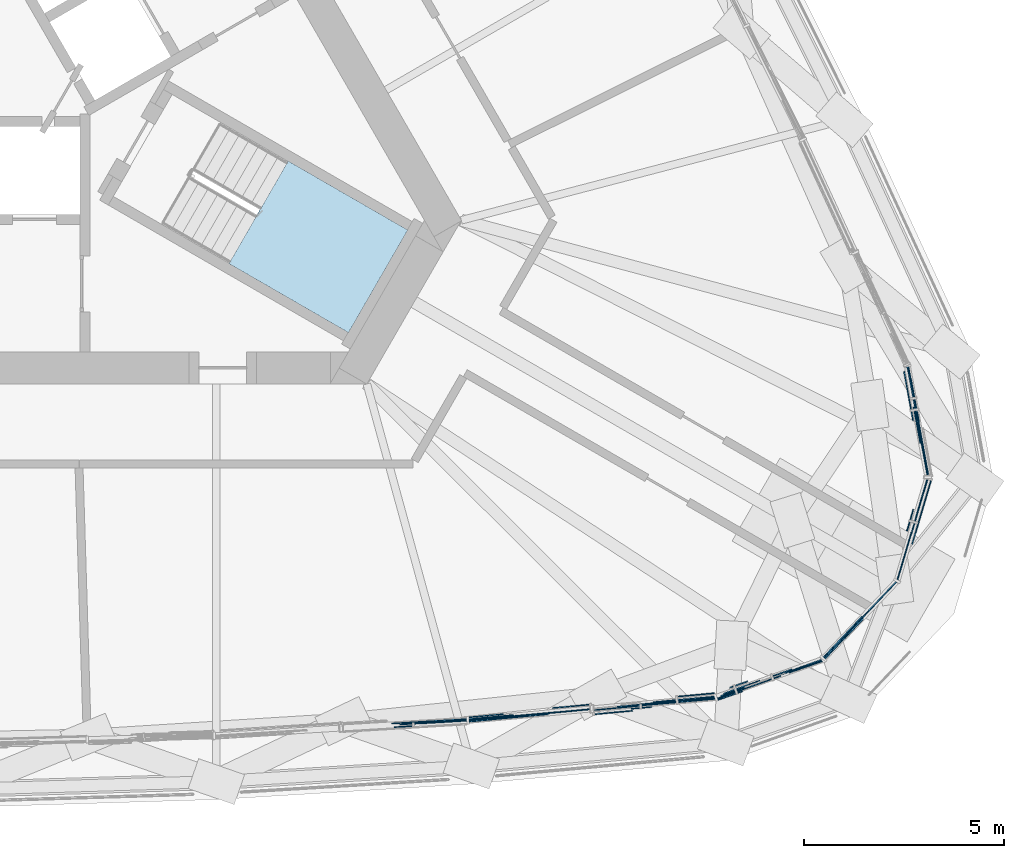
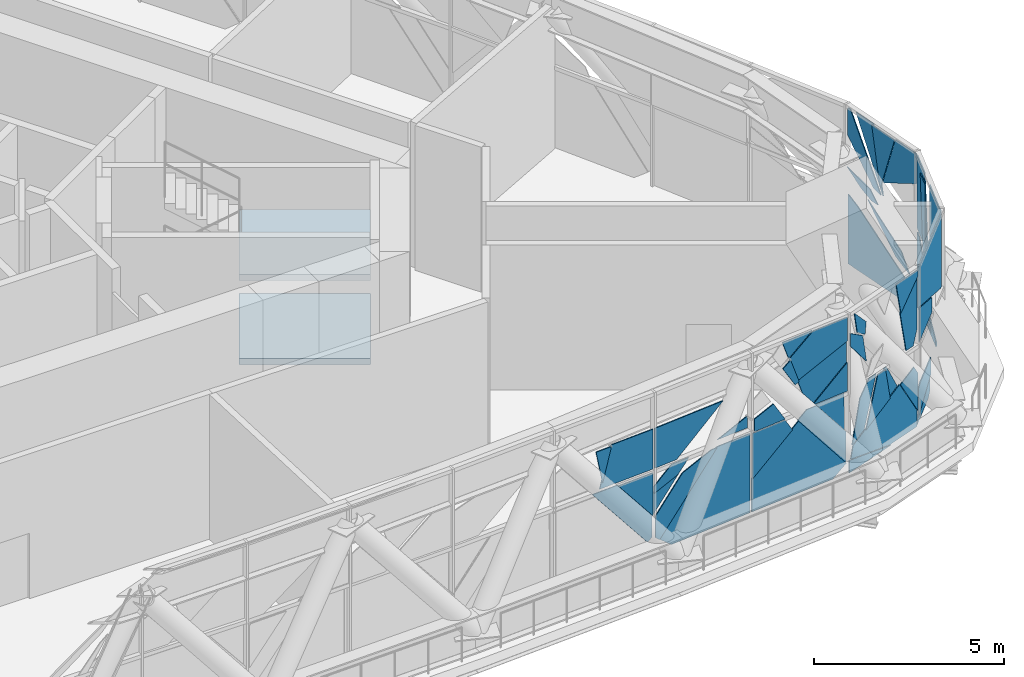
# One storey, part 14 of 35: 46 plates, 2 slabs, 3 elements without a shape of their own.
"""IFC4 building model written with IfcOpenShell, lengths in metres."""

from ifc_helpers import new_model, si_unit, direction, frame, origin, place, context, subcontext, project, spatial, polyline, outline, extrude, material, layer, layer_set, type_object, element, aggregate, save


model = new_model("IFC4")

# Units and contexts
model_context = context("Model", 3, precision=1e-05, world=origin(), true_north=direction((0.0, 1.0)))
body_context = subcontext(model_context, "Body", "Model", "MODEL_VIEW")
ifc_project = project(units=[si_unit("LENGTHUNIT", "METRE"), si_unit("AREAUNIT", "SQUARE_METRE"), si_unit("VOLUMEUNIT", "CUBIC_METRE"), si_unit("PLANEANGLEUNIT", "RADIAN"), si_unit("MASSUNIT", "GRAM", prefix="KILO")], contexts=[model_context])

# Site, building, storey
site_placement = place(None, origin())
site = spatial("IfcSite", under=ifc_project, at=site_placement, CompositionType="ELEMENT")
building_placement = place(site_placement, origin())
building = spatial("IfcBuilding", under=site, at=building_placement, Name="Mestral Congress Tower", CompositionType="ELEMENT")
storey_placement = place(building_placement, frame((0.0, 0.0, 196.199951171875)))
storey = spatial("IfcBuildingStorey", under=building, at=storey_placement, Name="L46", CompositionType="ELEMENT", Elevation=196.199951171875)

# Stair, slabs
ifc_material_1 = material(Name="Concrete C60/75", Category="concrete")
stair_type = type_object("IfcStairType", Name="Exit stair 1400", PredefinedType="HALF_TURN_STAIR", material=ifc_material_1)
placement = place(storey_placement, origin())
stair = element("IfcStair", 1, at=placement, inside=storey, type_object=stair_type, Name="L46 ST1", PredefinedType="HALF_TURN_STAIR")
ifc_layer_1 = layer(ifc_material_1, 0.199951171875)
ifc_layer_set_1 = layer_set([ifc_layer_1], Name="Concrete C60/75")
slab_type = type_object("IfcSlabType", Name="Exit stair landing 200", PredefinedType="LANDING", material=ifc_layer_set_1)
slab_1_placement = place(storey_placement, frame((0.0, 0.0, 1.150146484375)))
slab_1 = element("IfcSlab", 2, at=slab_1_placement, type_object=slab_type, Name="ST1 landing 1", PredefinedType="LANDING", context=body_context, shape_type="SweptSolid", body=[
    extrude(outline(polyline([(9.90966796875, -7.43603515625), (11.39453125, -4.864013671875), (14.39111328125, -6.593994140625), (12.906005859375, -9.166015625), (9.90966796875, -7.43603515625)])), origin(), (0.0, 0.0, 1.0), 0.199951171875),
])
slab_2_placement = place(storey_placement, frame((0.0, 0.0, 3.85009765625)))
slab_2 = element("IfcSlab", 3, at=slab_2_placement, type_object=slab_type, Name="ST1 landing 3", PredefinedType="LANDING", context=body_context, shape_type="SweptSolid", body=[
    extrude(outline(polyline([(9.90966796875, -7.43603515625), (11.39453125, -4.864013671875), (14.39111328125, -6.593994140625), (12.906005859375, -9.166015625), (9.90966796875, -7.43603515625)])), origin(), (0.0, 0.0, 1.0), 0.199951171875),
])
aggregate(stair, [slab_1, slab_2])

# Curtain wall, plates
ifc_material_2 = material(Name="Clear low-emissivity double glazing", Category="glass")
curtain_wall_type = type_object("IfcCurtainWallType", Name="Facade refuge band screen", PredefinedType="USERDEFINED", material=ifc_material_2)
curtain_wall_1 = element("IfcCurtainWall", 4, at=placement, inside=storey, type_object=curtain_wall_type, Name="Facade refuge band screen face 1", ObjectType="CURTAIN WALL", PredefinedType="USERDEFINED")
ifc_material_3 = material(Name="Anodised aluminium", Category="aluminium")
ifc_layer_2 = layer(ifc_material_3, 0.028076171875)
ifc_layer_set_2 = layer_set([ifc_layer_2], Name="Anodised aluminium")
plate_type_1 = type_object("IfcPlateType", Name="Facade refuge band screen brace cover panel", PredefinedType="CURTAIN_PANEL", material=ifc_layer_set_2)
plate_1_placement = place(storey_placement, frame((15.86572265625, -18.85791015625, 0.462646484375), z_axis=(0.060990742761, -0.998136246444, 0.002040301852), x_axis=(-0.782947291782, -0.04910935086, -0.620146603594)))
plate_1 = element("IfcPlate", 5, at=plate_1_placement, type_object=plate_type_1, Name="Facade refuge band screen brace cover panel", PredefinedType="CURTAIN_PANEL", context=body_context, shape_type="SweptSolid", body=[
    extrude(outline(polyline([(0.0, 0.0), (0.18739212686855722, 1.3877787807814457e-17), (0.1882278914823774, -2.7969001214413893), (-0.4315580958042975, -2.3069497717007406), (-0.4321362944517928, -0.5468997852065501), (0.0, 0.0)])), origin(), (0.0, 0.0, -1.0), 0.028076171875),
])
plate_2_placement = place(storey_placement, frame((15.867431640625, -18.888671875, 3.93798828125), z_axis=(0.061034325478, -0.998133532024, 0.002064791291), x_axis=(0.000188336507, -0.002057131464, -0.999997866367)))
plate_2 = element("IfcPlate", 6, at=plate_2_placement, type_object=plate_type_1, Name="Facade refuge band screen brace cover panel", PredefinedType="CURTAIN_PANEL", context=body_context, shape_type="SweptSolid", body=[
    extrude(outline(polyline([(0.0, 0.0), (1.2778348753295823, 2.710505431213761e-20), (1.277730066490192, -1.6769510514177033), (-8.373036769627169e-05, -1.3430836118120952), (0.0, 0.0)])), origin(), (0.0, 0.0, -1.0), 0.028076171875),
])
plate_3_placement = place(storey_placement, frame((14.530517578125, -19.030517578125, 3.93798828125), z_axis=(0.061058623518, -0.998131878661, 0.002144130202), x_axis=(-0.252022635696, -0.017495420228, -0.967563176939)))
plate_3 = element("IfcPlate", 7, at=plate_3_placement, type_object=plate_type_1, Name="Facade refuge band screen brace cover panel", PredefinedType="CURTAIN_PANEL", context=body_context, shape_type="SweptSolid", body=[
    extrude(outline(polyline([(0.0, 0.0), (1.1024090375160254, 5.551115123125783e-17), (0.1222211228648801, -0.4681205910224455), (0.0, 0.0)])), origin(), (0.0, 0.0, -1.0), 0.028076171875),
])
plate_4_placement = place(storey_placement, frame((16.065185546875, -18.908935546875, 0.334716796875), z_axis=(0.091473709973, -0.995805511821, 0.001985701756), x_axis=(-0.763173217381, -0.068823113173, 0.642518497294)))
plate_4 = element("IfcPlate", 8, at=plate_4_placement, type_object=plate_type_1, Name="Facade refuge band screen brace cover panel", PredefinedType="CURTAIN_PANEL", context=body_context, shape_type="SweptSolid", body=[
    extrude(outline(polyline([(0.0, 0.0), (0.17592862948055524, 0.0), (0.6200859216610072, -0.5298758040343694), (0.6192794526258398, -1.8830524500800145), (0.1425569360923722, -2.7584707902316548), (-0.0015446993487184812, -2.879300939811149), (0.0, 0.0)])), origin(), (0.0, 0.0, -1.0), 0.028076171875),
])
plate_5_placement = place(storey_placement, frame((18.011962890625, -18.580810546875, 2.66015625), z_axis=(0.091480161853, -0.995805002071, 0.001943666237), x_axis=(0.926825310539, 0.085856796794, 0.365545420143)))
plate_5 = element("IfcPlate", 9, at=plate_5_placement, type_object=plate_type_1, Name="Facade refuge band screen brace cover panel", PredefinedType="CURTAIN_PANEL", context=body_context, shape_type="SweptSolid", body=[
    extrude(outline(polyline([(0.0, 0.0), (1.0265321898376685, 0.0), (0.8893005294004409, -0.3492508738555127), (0.0, 0.0)])), origin(), (0.0, 0.0, -1.0), 0.028076171875),
])
plate_6_placement = place(storey_placement, frame((15.927734375, -18.884033203125, 3.93798828125), z_axis=(0.091384484063, -0.995813444091, 0.002112022907), x_axis=(0.995815665081, 0.091384687885, 2.107e-09)))
plate_6 = element("IfcPlate", 10, at=plate_6_placement, type_object=plate_type_1, Name="Facade refuge band screen brace cover panel", PredefinedType="CURTAIN_PANEL", context=body_context, shape_type="SweptSolid", body=[
    extrude(outline(polyline([(0.0, 0.0), (2.2013500584904895, 0.0), (0.7026446391858194, -1.2778348827148727), (-2.3014965791322853e-06, -1.2778348765959722), (0.0, 0.0)])), origin(), (0.0, 0.0, -1.0), 0.028076171875),
])
plate_7_placement = place(storey_placement, frame((22.0615234375, -18.2978515625, 0.339111328125), z_axis=(0.091345468814, -0.995817464724, 0.001892690484), x_axis=(-0.612923698811, -0.054724787692, 0.788244719011)))
plate_7 = element("IfcPlate", 11, at=plate_7_placement, type_object=plate_type_1, Name="Facade refuge band screen brace cover panel", PredefinedType="CURTAIN_PANEL", context=body_context, shape_type="SweptSolid", body=[
    extrude(outline(polyline([(0.0, 0.0), (2.4954701734468183, 0.0), (2.504805298720424, -0.368123740330763), (2.3071741903304464, -0.621279386461885), (0.7702057085932925, -0.6214121772988045), (7.83484391491708e-06, -0.02022391660959689), (0.0, 0.0)])), origin(), (0.0, 0.0, -1.0), 0.028076171875),
])

curtain_wall_2 = element("IfcCurtainWall", 12, at=placement, inside=storey, type_object=curtain_wall_type, Name="Facade refuge band screen corner 1", ObjectType="CURTAIN WALL", PredefinedType="USERDEFINED")
plate_8_placement = place(storey_placement, frame((24.7724609375, -17.408203125, 0.51220703125), z_axis=(0.335369342916, -0.942084289695, 0.002143581613), x_axis=(-0.476687877189, -0.167731016646, 0.862922345171)))
plate_8 = element("IfcPlate", 13, at=plate_8_placement, type_object=plate_type_1, Name="Facade refuge band screen brace cover panel", PredefinedType="CURTAIN_PANEL", context=body_context, shape_type="SweptSolid", body=[
    extrude(outline(polyline([(0.0, 0.0), (1.4013177189093442, 0.0), (1.3632167864658589, -0.6158299912504133), (1.0516262452539566, -0.6159872524904393), (0.0, 0.0)])), origin(), (0.0, 0.0, -1.0), 0.028076171875),
])
plate_9_placement = place(storey_placement, frame((24.760498046875, -17.375, 3.138671875), z_axis=(0.33532753085, -0.942099400411, 0.002041274032), x_axis=(-0.282163297588, -0.102498995794, -0.95387516445)))
plate_9 = element("IfcPlate", 14, at=plate_9_placement, type_object=plate_type_1, Name="Facade refuge band screen brace cover panel", PredefinedType="CURTAIN_PANEL", context=body_context, shape_type="SweptSolid", body=[
    extrude(outline(polyline([(0.0, 0.0), (0.5016540097755811, 2.7755575615628914e-17), (0.5883293063682755, -0.2754101207860189), (-0.6178147754594814, -0.9134257739970815), (-1.6078760908487062, -0.5057819382525599), (0.0, 0.0)])), origin(), (0.0, 0.0, -1.0), 0.028076171875),
])
plate_10_placement = place(storey_placement, frame((24.769287109375, -17.399658203125, 5.030029296875), z_axis=(0.33535785263, -0.942088756757, 0.001971058566), x_axis=(0.001339060712, -0.001615548101, -0.999997798458)))
plate_10 = element("IfcPlate", 15, at=plate_10_placement, type_object=plate_type_1, Name="Facade refuge band screen brace cover panel", PredefinedType="CURTAIN_PANEL", context=body_context, shape_type="SweptSolid", body=[
    extrude(outline(polyline([(0.0, 0.0), (0.20581081511446855, 0.0), (1.0273400941605375, -0.6866473209021093), (-0.0006296524984063317, -0.8745899329771005), (0.0, 0.0)])), origin(), (0.0, 0.0, -1.0), 0.028076171875),
])
plate_11_placement = place(storey_placement, frame((22.462158203125, -18.068359375, 4.8525390625), z_axis=(0.335229766603, -0.94213453293, 0.001877616886), x_axis=(0.635850436523, 0.224776437004, -0.7383561307)))
plate_11 = element("IfcPlate", 16, at=plate_11_placement, type_object=plate_type_1, Name="Facade refuge band screen brace cover panel", PredefinedType="CURTAIN_PANEL", context=body_context, shape_type="SweptSolid", body=[
    extrude(outline(polyline([(0.0, 0.0), (0.7052858364965902, -5.551115123125783e-17), (0.9568437969162066, -0.29149204902166953), (0.5899135027599359, -0.38261301301242256), (0.0, 0.0)])), origin(), (0.0, 0.0, -1.0), 0.028076171875),
])
plate_12_placement = place(storey_placement, frame((22.164794921875, -18.375244140625, 4.083984375), z_axis=(0.335138610573, -0.942166954931, 0.001881685294), x_axis=(-0.000594900428, 0.001785572981, 0.99999822891)))
plate_12 = element("IfcPlate", 17, at=plate_12_placement, type_object=plate_type_1, Name="Facade refuge band screen brace cover panel", PredefinedType="CURTAIN_PANEL", context=body_context, shape_type="SweptSolid", body=[
    extrude(outline(polyline([(0.0, 0.0), (0.4072272942970732, 2.710505431213761e-20), (0.07497021126535015, -0.49860623597290044), (-0.8300549710886532, -0.6491073867151419), (0.0, 0.0)])), origin(), (0.0, 0.0, -1.0), 0.028076171875),
])
plate_13_placement = place(storey_placement, frame((24.81884765625, -17.34375, 0.225341796875), z_axis=(0.725790528604, -0.687913003562, 0.0019514399), x_axis=(-0.001507523184, 0.001246218801, 0.999998087154)))
plate_13 = element("IfcPlate", 18, at=plate_13_placement, type_object=plate_type_1, Name="Facade refuge band screen brace cover panel", PredefinedType="CURTAIN_PANEL", context=body_context, shape_type="SweptSolid", body=[
    extrude(outline(polyline([(0.0, 0.0), (0.9182148637746529, -1.3552527156068805e-20), (0.9867883233842695, -0.22572195166180017), (0.9866310244107969, -1.4140422394040812), (0.4338952432403137, -1.416357233071798), (0.0, 0.0)])), origin(), (0.0, 0.0, -1.0), 0.028076171875),
])
plate_14_placement = place(storey_placement, frame((24.79736328125, -17.323486328125, 0.0), z_axis=(0.725848451139, -0.687852005688, 0.001908991987), x_axis=(-0.001357325044, 0.001342986891, 0.999998177026)))
plate_14 = element("IfcPlate", 19, at=plate_14_placement, type_object=plate_type_1, Name="Facade refuge band screen brace cover panel", PredefinedType="CURTAIN_PANEL", context=body_context, shape_type="SweptSolid", body=[
    extrude(outline(polyline([(0.0, 0.0), (0.22534204533856303, 1.0164395367051604e-20), (0.6594830976455189, -1.4162819079865085), (0.12554685322821713, -1.4185241221460356), (5.097254027881348e-05, -1.2477218909412664), (0.0, 0.0)])), origin(), (0.0, 0.0, -1.0), 0.028076171875),
])
plate_15_placement = place(storey_placement, frame((24.811767578125, -17.337158203125, 5.030029296875), z_axis=(0.725762470425, -0.68794239147, 0.002025473093), x_axis=(0.687943802736, 0.725763959065, -7.1645e-08)))
plate_15 = element("IfcPlate", 20, at=plate_15_placement, type_object=plate_type_1, Name="Facade refuge band screen brace cover panel", PredefinedType="CURTAIN_PANEL", context=body_context, shape_type="SweptSolid", body=[
    extrude(outline(polyline([(0.0, 0.0), (2.6501789034041474, 0.0), (2.6502269935485065, -2.3698776325313307), (2.532272771834633, -2.369877895471969), (0.00010341224452127486, -1.27392842051591), (0.0, 0.0)])), origin(), (0.0, 0.0, -1.0), 0.028076171875),
])
plate_16_placement = place(storey_placement, frame((24.8369140625, -17.36083984375, 3.756103515625), z_axis=(0.725670819448, -0.688039467613, 0.001884889726), x_axis=(0.631940108124, 0.665414682205, -0.397334871928)))
plate_16 = element("IfcPlate", 21, at=plate_16_placement, type_object=plate_type_1, Name="Facade refuge band screen brace cover panel", PredefinedType="CURTAIN_PANEL", context=body_context, shape_type="SweptSolid", body=[
    extrude(outline(polyline([(0.0, 0.0), (1.531812661776046, -1.1102230246251565e-16), (1.7271574296667935, -0.44644219248407335), (0.43540903140665754, -1.0057453335256343), (0.0, 0.0)])), origin(), (0.0, 0.0, -1.0), 0.028076171875),
])
plate_17_placement = place(storey_placement, frame((27.0361328125, -14.47119140625, 0.165283203125), z_axis=(0.958643602631, -0.284602997608, 0.001891266028), x_axis=(0.260463261127, 0.87997226615, 0.397250173581)))
plate_17 = element("IfcPlate", 22, at=plate_17_placement, type_object=plate_type_1, Name="Facade refuge band screen brace cover panel", PredefinedType="CURTAIN_PANEL", context=body_context, shape_type="SweptSolid", body=[
    extrude(outline(polyline([(0.0, 0.0), (1.844959054903514, -1.1102230246251565e-16), (1.4881670406679732, -0.8242899503688376), (-0.06559519146806284, -0.15170979377076146), (0.0, 0.0)])), origin(), (0.0, 0.0, -1.0), 0.028076171875),
])
plate_18_placement = place(storey_placement, frame((27.357421875, -13.049072265625, 2.5400390625), z_axis=(0.958690757758, -0.284443608023, 0.001965920807), x_axis=(0.284444155101, 0.958692611126, 1.373301e-06)))
plate_18 = element("IfcPlate", 23, at=plate_18_placement, type_object=plate_type_1, Name="Facade refuge band screen brace cover panel", PredefinedType="CURTAIN_PANEL", context=body_context, shape_type="SweptSolid", body=[
    extrude(outline(polyline([(0.0, 0.0), (0.23831233275796443, 0.0), (0.23851068742931716, -1.6418489219805483), (-1.2129255808888608, -2.270022067733625), (-1.0557954101937124, -1.0395508709686436), (0.0, 0.0)])), origin(), (0.0, 0.0, -1.0), 0.028076171875),
])
plate_19_placement = place(storey_placement, frame((27.42041015625, -12.819091796875, 5.030029296875), z_axis=(0.958694700309, -0.284430348818, 0.001961700986), x_axis=(0.00189023628, -0.00052574455, -0.999998075298)))
plate_19 = element("IfcPlate", 24, at=plate_19_placement, type_object=plate_type_1, Name="Facade refuge band screen brace cover panel", PredefinedType="CURTAIN_PANEL", context=body_context, shape_type="SweptSolid", body=[
    extrude(outline(polyline([(0.0, 0.0), (2.369877434055751, -2.439454888092385e-19), (2.369839082197117, -1.146193455222236), (-2.852449040405546e-05, -0.8434566713482278), (0.0, 0.0)])), origin(), (0.0, 0.0, -1.0), 0.028076171875),
])
plate_20_placement = place(storey_placement, frame((27.067138671875, -13.59423828125, 5.030029296875), z_axis=(0.958660257813, -0.284546162666, 0.001997849236), x_axis=(-0.034119347444, -0.121915672073, -0.991953849245)))
plate_20 = element("IfcPlate", 25, at=plate_20_placement, type_object=plate_type_1, Name="Facade refuge band screen brace cover panel", PredefinedType="CURTAIN_PANEL", context=body_context, shape_type="SweptSolid", body=[
    extrude(outline(polyline([(0.0, 0.0), (2.389096014027235, -5.551115123125783e-17), (2.422234615555936, -0.2596840180007221), (0.0701488283398134, -0.5497087187168934), (0.0, 0.0)])), origin(), (0.0, 0.0, -1.0), 0.028076171875),
])
plate_21_placement = place(storey_placement, frame((27.022705078125, -14.1591796875, 5.030029296875), z_axis=(0.958657840881, -0.284554389588, 0.001985820793), x_axis=(0.000682657516, -0.004678766742, -0.999988821498)))
plate_21 = element("IfcPlate", 26, at=plate_21_placement, type_object=plate_type_1, Name="Facade refuge band screen brace cover panel", PredefinedType="CURTAIN_PANEL", context=body_context, shape_type="SweptSolid", body=[
    extrude(outline(polyline([(0.0, 0.0), (1.8825892703758698, -1.734723475976807e-18), (2.374723780406882, -1.124264054795651), (2.375229821647552, -1.2421446785255237), (0.005373246117260983, -1.2522297135670664), (0.0, 0.0)])), origin(), (0.0, 0.0, -1.0), 0.028076171875),
])
plate_22_placement = place(storey_placement, frame((27.1142578125, -11.042236328125, 2.343017578125), z_axis=(0.983533886923, 0.18071288066, 0.001986967011), x_axis=(-0.151101934823, 0.816244802687, 0.557595397559)))
plate_22 = element("IfcPlate", 27, at=plate_22_placement, type_object=plate_type_1, Name="Facade refuge band screen brace cover panel", PredefinedType="CURTAIN_PANEL", context=body_context, shape_type="SweptSolid", body=[
    extrude(outline(polyline([(0.0, 0.0), (0.2832866188706645, 2.7755575615628914e-17), (-1.3424458207280838, -0.3867419659139024), (-1.9639330999520717, -0.3057384856807287), (-1.3844759820812613, -0.026169547659669945), (0.0, 0.0)])), origin(), (0.0, 0.0, -1.0), 0.028076171875),
])
plate_23_placement = place(storey_placement, frame((26.833984375, -10.13525390625, 3.227294921875), z_axis=(0.983505900444, 0.180870177486, 0.001456944833), x_axis=(0.151283552085, -0.818156127503, -0.554737629783)))
plate_23 = element("IfcPlate", 28, at=plate_23_placement, type_object=plate_type_1, Name="Facade refuge band screen brace cover panel", PredefinedType="CURTAIN_PANEL", context=body_context, shape_type="SweptSolid", body=[
    extrude(outline(polyline([(0.0, 0.0), (0.7081227578739309, -5.551115123125783e-17), (1.143159388060708, -0.08054440724727308), (1.3585849942584587, -0.22417561897282245), (0.9136589117016222, -0.3342225099493102), (0.0, 0.0)])), origin(), (0.0, 0.0, -1.0), 0.028076171875),
])
plate_24_placement = place(storey_placement, frame((27.113525390625, -11.04541015625, 2.99853515625), z_axis=(0.983604603265, 0.180325507388, 0.002166984441), x_axis=(0.175764500172, -0.955898520318, -0.235297384882)))
plate_24 = element("IfcPlate", 29, at=plate_24_placement, type_object=plate_type_1, Name="Facade refuge band screen brace cover panel", PredefinedType="CURTAIN_PANEL", context=body_context, shape_type="SweptSolid", body=[
    extrude(outline(polyline([(0.0, 0.0), (0.31438695389895394, -1.3877787807814457e-17), (-1.379589125511055, -1.7561926027464156), (-1.4705318727454095, -1.7341757405285232), (-1.4835946318074908, -1.70061887493952), (-1.2810927450095522, -0.8634317546939758), (0.0, 0.0)])), origin(), (0.0, 0.0, -1.0), 0.028076171875),
])
plate_25_placement = place(storey_placement, frame((27.204833984375, -11.3759765625, 2.915771484375), z_axis=(0.983470677018, 0.181057669957, 0.00188350617), x_axis=(0.176409127228, -0.955772628408, -0.235326374674)))
plate_25 = element("IfcPlate", 30, at=plate_25_placement, type_object=plate_type_1, Name="Facade refuge band screen brace cover panel", PredefinedType="CURTAIN_PANEL", context=body_context, shape_type="SweptSolid", body=[
    extrude(outline(polyline([(0.0, 0.0), (0.01763725058192294, 8.673617379884035e-19), (-0.8591976860172912, -1.9673189149636081), (-1.5501889989588964, -1.8000114131992497), (0.0, 0.0)])), origin(), (0.0, 0.0, -1.0), 0.028076171875),
])
plate_26_placement = place(storey_placement, frame((27.2421875, -11.935302734375, 5.030029296875), z_axis=(0.983568076789, 0.180526654757, 0.001991292127), x_axis=(-0.180527012674, 0.983570026838, 0.0)))
plate_26 = element("IfcPlate", 31, at=plate_26_placement, type_object=plate_type_1, Name="Facade refuge band screen brace cover panel", PredefinedType="CURTAIN_PANEL", context=body_context, shape_type="SweptSolid", body=[
    extrude(outline(polyline([(0.0, 0.0), (0.929083170938325, 0.0), (0.5868532890227136, -1.8625525208665754), (0.0, 0.0)])), origin(), (0.0, 0.0, -1.0), 0.028076171875),
])
plate_27_placement = place(storey_placement, frame((27.425537109375, -12.756103515625, 4.059326171875), z_axis=(0.983545348513, 0.180649308087, 0.002091627515), x_axis=(-0.00203350262, -0.000506953937, 0.99999780393)))
plate_27 = element("IfcPlate", 32, at=plate_27_placement, type_object=plate_type_1, Name="Facade refuge band screen brace cover panel", PredefinedType="CURTAIN_PANEL", context=body_context, shape_type="SweptSolid", body=[
    extrude(outline(polyline([(0.0, 0.0), (0.970705212488884, 8.131516293641283e-20), (0.9705949323614894, -0.8404921681439569), (-0.6893895025140672, -1.3633864786892063), (0.0, 0.0)])), origin(), (0.0, 0.0, -1.0), 0.028076171875),
])

# Plate
ifc_layer_3 = layer(ifc_material_2, 0.028076171875)
ifc_layer_set_3 = layer_set([ifc_layer_3], Name="Clear low-emissivity double glazing")
plate_type_2 = type_object("IfcPlateType", Name="Facade refuge band screen panel", PredefinedType="CURTAIN_PANEL", material=ifc_layer_set_3)
plate_28_placement = place(storey_placement, frame((15.867919921875, -18.8955078125, 2.5400390625), z_axis=(0.061041754438, -0.998133303331, 0.001952689793), x_axis=(0.000176865598, -0.001945521579, -0.99999809183)))
plate_28 = element("IfcPlate", 33, at=plate_28_placement, type_object=plate_type_2, Name="Refuge screen glass unit", PredefinedType="CURTAIN_PANEL", context=body_context, shape_type="SweptSolid", body=[
    extrude(outline(polyline([(0.0, 0.0), (1.380373727737251, 0.0), (-6.308609347382589e-05, -1.091879878926557), (0.0, 0.0)])), origin(), (0.0, 0.0, -1.0), 0.028076171875),
])

plate_29_placement = place(storey_placement, frame((15.92138671875, -18.81396484375, 1.13916015625), z_axis=(0.091193972781, -0.995830865633, 0.002132224663), x_axis=(-0.000351493045, 0.002108958273, 0.999997714371)))
plate_29 = element("IfcPlate", 34, at=plate_29_placement, type_object=plate_type_2, Name="Refuge screen glass unit", PredefinedType="CURTAIN_PANEL", context=body_context, shape_type="SweptSolid", body=[
    extrude(outline(polyline([(0.0, 0.0), (0.6945816656808527, 1.3552527156068805e-20), (1.0362420879500909, -0.8702012227793564), (0.0, 0.0)])), origin(), (0.0, 0.0, -1.0), 0.028076171875),
])

plate_30_placement = place(storey_placement, frame((15.92529296875, -18.8583984375, 1.833740234375), z_axis=(0.091501238744, -0.995803248486, 0.00184759661), x_axis=(2.6893594e-05, 0.001857851158, 0.999998273831)))
plate_30 = element("IfcPlate", 35, at=plate_30_placement, type_object=plate_type_2, Name="Refuge screen glass unit", PredefinedType="CURTAIN_PANEL", context=body_context, shape_type="SweptSolid", body=[
    extrude(outline(polyline([(0.0, 0.0), (0.2270512964759599, 0.0), (0.706410630410812, -0.5619091605820685), (0.7065203520983131, -1.1191817178093815), (0.3014210929688821, -0.7671304207537644), (0.0, 0.0)])), origin(), (0.0, 0.0, -1.0), 0.028076171875),
])

plate_31_placement = place(storey_placement, frame((18.974365234375, -18.6123046875, 0.0), z_axis=(0.091426952402, -0.995809690034, 0.002042940978), x_axis=(-0.995811768088, -0.091427143329, -6.683e-08)))
plate_31 = element("IfcPlate", 36, at=plate_31_placement, type_object=plate_type_2, Name="Refuge screen glass unit", PredefinedType="CURTAIN_PANEL", context=body_context, shape_type="SweptSolid", body=[
    extrude(outline(polyline([(0.0, 0.0), (2.525232248265719, -5.421010862427522e-20), (2.9240442643745475, -0.3347178026061894), (1.0728752360843155, -2.5400442397366647), (1.732378654557066e-05, -2.5400442833282866), (0.0, 0.0)])), origin(), (0.0, 0.0, -1.0), 0.028076171875),
])

plate_32_placement = place(storey_placement, frame((22.0693359375, -18.2109375, 1.32861328125), z_axis=(0.091396842489, -0.995812490059, 0.002025296603), x_axis=(-0.612891181642, -0.054648669384, 0.788275283388)))
plate_32 = element("IfcPlate", 37, at=plate_32_placement, type_object=plate_type_2, Name="Refuge screen glass unit", PredefinedType="CURTAIN_PANEL", context=body_context, shape_type="SweptSolid", body=[
    extrude(outline(polyline([(0.0, 0.0), (1.5368054876008124, 0.0), (0.9549532130509248, -0.7454011030512433), (0.0, 0.0)])), origin(), (0.0, 0.0, -1.0), 0.028076171875),
])

plate_33_placement = place(storey_placement, frame((19.0341796875, -18.606689453125, 0.0), z_axis=(0.091387579698, -0.995813442384, 0.001974397344), x_axis=(-0.000219914221, 0.001962512236, 0.99999805009)))
plate_33 = element("IfcPlate", 38, at=plate_33_placement, type_object=plate_type_2, Name="Refuge screen glass unit", PredefinedType="CURTAIN_PANEL", context=body_context, shape_type="SweptSolid", body=[
    extrude(outline(polyline([(0.0, 0.0), (1.0673850970500671, 9.486769009248164e-20), (2.3060972004343703, -1.5073083216604015), (0.3389914856323538, -3.0428429195749036), (-0.00010315255322491788, -2.60858435300352), (0.0, 0.0)])), origin(), (0.0, 0.0, -1.0), 0.028076171875),
])

plate_34_placement = place(storey_placement, frame((19.03662109375, -18.634521484375, 1.0673828125), z_axis=(0.091360812677, -0.995815899464, 0.001973899989), x_axis=(-0.000163743711, 0.00196716721, 0.999998051719)))
plate_34 = element("IfcPlate", 39, at=plate_34_placement, type_object=plate_type_2, Name="Refuge screen glass unit", PredefinedType="CURTAIN_PANEL", context=body_context, shape_type="SweptSolid", body=[
    extrude(outline(polyline([(0.0, 0.0), (1.4726591840130216, 3.049318610115481e-20), (1.4726766695836675, -1.0532298994246063), (1.0637444056311163, -1.2941637992158403), (0.0, 0.0)])), origin(), (0.0, 0.0, -1.0), 0.028076171875),
])

plate_35_placement = place(storey_placement, frame((21.047119140625, -18.44677734375, 2.66015625), z_axis=(0.091238096881, -0.995826508625, 0.00227473006), x_axis=(-0.613214637815, -0.054382920195, 0.788042071187)))
plate_35 = element("IfcPlate", 40, at=plate_35_placement, type_object=plate_type_2, Name="Refuge screen glass unit", PredefinedType="CURTAIN_PANEL", context=body_context, shape_type="SweptSolid", body=[
    extrude(outline(polyline([(0.0, 0.0), (0.05173807151521034, 3.469446951953614e-18), (0.08619724307714893, -1.3863480166841975), (-0.6399377490945968, -0.8191749246022553), (0.0, 0.0)])), origin(), (0.0, 0.0, -1.0), 0.028076171875),
])

plate_36_placement = place(storey_placement, frame((22.0791015625, -18.318603515625, 4.2607421875), z_axis=(0.091420432765, -0.995810455446, 0.001959922931), x_axis=(0.000372007147, -0.001934012708, -0.999998060601)))
plate_36 = element("IfcPlate", 41, at=plate_36_placement, type_object=plate_type_2, Name="Refuge screen glass unit", PredefinedType="CURTAIN_PANEL", context=body_context, shape_type="SweptSolid", body=[
    extrude(outline(polyline([(0.0, 0.0), (0.6792003531890488, -2.710505431213761e-20), (1.5596101960991149, -1.0714828237846517), (1.1100780857019368, -1.4223756967899654), (0.6239610523099185, -1.5891619483767272), (0.0, 0.0)])), origin(), (0.0, 0.0, -1.0), 0.028076171875),
])

plate_37_placement = place(storey_placement, frame((20.984375, -18.44775390625, 5.030029296875), z_axis=(0.091530226811, -0.995800348275, 0.00197077527), x_axis=(0.995802282115, 0.091530404422, -7.1089e-08)))
plate_37 = element("IfcPlate", 42, at=plate_37_placement, type_object=plate_type_2, Name="Refuge screen glass unit", PredefinedType="CURTAIN_PANEL", context=body_context, shape_type="SweptSolid", body=[
    extrude(outline(polyline([(0.0, 0.0), (1.1020345007654389, 2.710505431213761e-20), (1.1019004777127472, -0.7692884902042962), (-0.4871630432033311, -1.3935575039571237), (-0.7635653033827118, -0.5891125251490084), (0.0, 0.0)])), origin(), (0.0, 0.0, -1.0), 0.028076171875),
])

plate_38_placement = place(storey_placement, frame((20.5048828125, -18.552734375, 3.636474609375), z_axis=(0.091343792038, -0.995817713106, 0.001842259624), x_axis=(-0.926603028807, -0.085672286989, -0.366151725721)))
plate_38 = element("IfcPlate", 43, at=plate_38_placement, type_object=plate_type_2, Name="Refuge screen glass unit", PredefinedType="CURTAIN_PANEL", context=body_context, shape_type="SweptSolid", body=[
    extrude(outline(polyline([(0.0, 0.0), (0.14068895839168188, 6.938893903907228e-18), (0.261613751304905, -0.7630386222695504), (-0.03734167673814626, -0.8497855763939017), (0.0, 0.0)])), origin(), (0.0, 0.0, -1.0), 0.028076171875),
])

plate_39_placement = place(storey_placement, frame((20.041259765625, -18.504150390625, 5.030029296875), z_axis=(0.091530850245, -0.99580031767, 0.001957238548), x_axis=(0.995802225028, 0.0915310255, -3.2141e-08)))
plate_39 = element("IfcPlate", 44, at=plate_39_placement, type_object=plate_type_2, Name="Refuge screen glass unit", PredefinedType="CURTAIN_PANEL", context=body_context, shape_type="SweptSolid", body=[
    extrude(outline(polyline([(0.0, 0.0), (0.9443926156824332, 2.710505431213761e-20), (0.1805841728536549, -0.5891124507028181), (-0.015450372058430785, -0.01806647170476119), (0.0, 0.0)])), origin(), (0.0, 0.0, -1.0), 0.028076171875),
])

plate_40_placement = place(storey_placement, frame((19.65087890625, -18.68212890625, 3.297607421875), z_axis=(0.091501662465, -0.995802797739, 0.002057615452), x_axis=(0.505575886136, 0.044675654563, -0.861624691642)))
plate_40 = element("IfcPlate", 45, at=plate_40_placement, type_object=plate_type_2, Name="Refuge screen glass unit", PredefinedType="CURTAIN_PANEL", context=body_context, shape_type="SweptSolid", body=[
    extrude(outline(polyline([(0.0, 0.0), (0.7398242715962337, 0.0), (0.24096220029399118, -0.8468902630616366), (-0.10271847439461435, -0.6443407543610993), (0.0, 0.0)])), origin(), (0.0, 0.0, -1.0), 0.028076171875),
])

aggregate(curtain_wall_1, [plate_28, plate_1, plate_2, plate_3, plate_29, plate_30, plate_31, plate_4, plate_5, plate_6, plate_32, plate_33, plate_34, plate_7, plate_35, plate_36, plate_37, plate_38, plate_39, plate_40])

plate_41_placement = place(storey_placement, frame((22.152587890625, -18.3408203125, 0.4033203125), z_axis=(0.335241053339, -0.942130443965, 0.001913821056), x_axis=(0.916297125017, 0.325574910676, -0.233239268186)))
plate_41 = element("IfcPlate", 46, at=plate_41_placement, type_object=plate_type_2, Name="Refuge screen glass unit", PredefinedType="CURTAIN_PANEL", context=body_context, shape_type="SweptSolid", body=[
    extrude(outline(polyline([(0.0, 0.0), (1.7292127335015368, -5.551115123125783e-17), (0.09405538169834973, -0.3922007849241548), (0.0, 0.0)])), origin(), (0.0, 0.0, -1.0), 0.028076171875),
])

plate_42_placement = place(storey_placement, frame((24.7626953125, -17.380859375, 0.0), z_axis=(0.335290091115, -0.942112685739, 0.002059652637), x_axis=(-0.942114684061, -0.335290802255, 2.09e-08)))
plate_42 = element("IfcPlate", 47, at=plate_42_placement, type_object=plate_type_2, Name="Refuge screen glass unit", PredefinedType="CURTAIN_PANEL", context=body_context, shape_type="SweptSolid", body=[
    extrude(outline(polyline([(0.0, 0.0), (1.0995316689149204, 0.0), (2.68885428942075, -0.3813482541932138), (2.5965597376304315, -0.7668472184648458), (0.708265144455468, -1.72143919123478), (-9.741325099001589e-05, -0.5122080083659457), (0.0, 0.0)])), origin(), (0.0, 0.0, -1.0), 0.028076171875),
])

plate_43_placement = place(storey_placement, frame((22.305908203125, -18.2216796875, 0.766845703125), z_axis=(0.335094752613, -0.942181994001, 0.002144050154), x_axis=(0.218973878844, 0.080092757029, 0.972437962369)))
plate_43 = element("IfcPlate", 48, at=plate_43_placement, type_object=plate_type_2, Name="Refuge screen glass unit", PredefinedType="CURTAIN_PANEL", context=body_context, shape_type="SweptSolid", body=[
    extrude(outline(polyline([(0.0, 0.0), (1.365768328129353, 0.0), (1.8852291803984604, -0.2576646204371468), (1.9508349998901138, -0.5312961364588236), (0.3559200776394072, -0.419551124628777), (0.0, 0.0)])), origin(), (0.0, 0.0, -1.0), 0.028076171875),
])

plate_44_placement = place(storey_placement, frame((23.239990234375, -17.94921875, 2.5400390625), z_axis=(0.335297858387, -0.942109802664, 0.002113264401), x_axis=(0.94211190627, 0.335298607311, 1.11085e-07)))
plate_44 = element("IfcPlate", 49, at=plate_44_placement, type_object=plate_type_2, Name="Refuge screen glass unit", PredefinedType="CURTAIN_PANEL", context=body_context, shape_type="SweptSolid", body=[
    extrude(outline(polyline([(0.0, 0.0), (0.31304921482364073, 0.0), (0.5019616654912445, -1.0283226644490988), (-0.48029450015692565, -1.524905660652968), (0.0, 0.0)])), origin(), (0.0, 0.0, -1.0), 0.028076171875),
])

plate_45_placement = place(storey_placement, frame((23.693359375, -17.726318359375, 1.51171875), z_axis=(0.335283786198, -0.942114947696, 0.002051350772), x_axis=(-0.170703133388, -0.058608909434, 0.983577874897)))
plate_45 = element("IfcPlate", 50, at=plate_45_placement, type_object=plate_type_2, Name="Refuge screen glass unit", PredefinedType="CURTAIN_PANEL", context=body_context, shape_type="SweptSolid", body=[
    extrude(outline(polyline([(0.0, 0.0), (1.0454894618749564, 0.0), (1.0261740556796057, -0.10526925708071051), (0.11196225380577221, -0.3800429318732315), (0.0, 0.0)])), origin(), (0.0, 0.0, -1.0), 0.028076171875),
])

plate_46_placement = place(storey_placement, frame((27.3662109375, -12.309814453125, 0.0), z_axis=(0.983525448282, 0.180758666883, 0.001999231891), x_axis=(0.154975440295, -0.848826758737, 0.505446086698)))
plate_46 = element("IfcPlate", 51, at=plate_46_placement, type_object=plate_type_2, Name="Refuge screen glass unit", PredefinedType="CURTAIN_PANEL", context=body_context, shape_type="SweptSolid", body=[
    extrude(outline(polyline([(0.0, 0.0), (0.521178536405092, 5.551115123125783e-17), (0.6094176432850221, -0.15033408328914932), (-0.6402370963549786, -2.741590316145264), (-0.8805296372831894, -3.1089886099027417), (-2.011430591124472, -1.178261379340208), (0.0, 0.0)])), origin(), (0.0, 0.0, -1.0), 0.028076171875),
])

aggregate(curtain_wall_2, [plate_41, plate_42, plate_43, plate_44, plate_45, plate_8, plate_9, plate_10, plate_11, plate_12, plate_13, plate_14, plate_15, plate_16, plate_17, plate_18, plate_19, plate_20, plate_21, plate_46, plate_22, plate_23, plate_24, plate_25, plate_26, plate_27])

save(model, "model.ifc")
